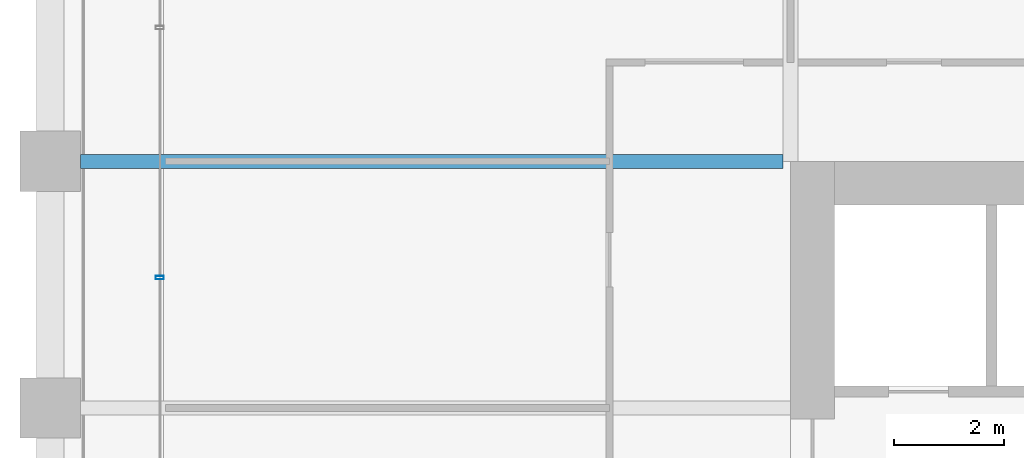
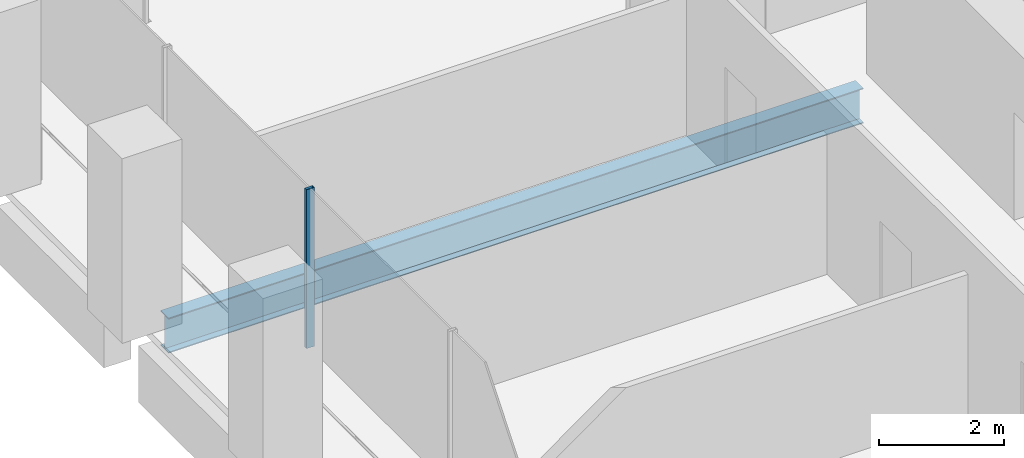
# One storey, part 14 of 56: 1 beam, 1 member, 1 element without a shape of its own.
"""IFC4 building model written with IfcOpenShell, lengths in metres."""

from ifc_helpers import new_model, si_unit, direction, frame, origin, origin_2d, place, context, subcontext, project, spatial, hollow_rectangle, i_section, extrude, material, material_profile, profile_set, type_object, element, aggregate, save


model = new_model("IFC4")

# Units and contexts
model_context = context("Model", 3, precision=1e-05, world=origin(), true_north=direction((0.0, 1.0)))
body_context = subcontext(model_context, "Body", "Model", "MODEL_VIEW")
ifc_project = project(units=[si_unit("LENGTHUNIT", "METRE"), si_unit("AREAUNIT", "SQUARE_METRE"), si_unit("VOLUMEUNIT", "CUBIC_METRE"), si_unit("PLANEANGLEUNIT", "RADIAN"), si_unit("MASSUNIT", "GRAM", prefix="KILO")], contexts=[model_context])

# Site, building, storey
site_placement = place(None, origin())
site = spatial("IfcSite", under=ifc_project, at=site_placement, CompositionType="ELEMENT")
building_placement = place(site_placement, origin())
building = spatial("IfcBuilding", under=site, at=building_placement, Name="Altepetl Exchange Towers", CompositionType="ELEMENT")
storey_placement = place(building_placement, frame((0.0, 0.0, 72.60009765625)))
storey = spatial("IfcBuildingStorey", under=building, at=storey_placement, Name="L17", CompositionType="ELEMENT", Elevation=72.60009765625)

# Beam
ifc_material_1 = material(Name="Steel S355", Category="steel")
ifc_material_profile_1 = material_profile(ifc_material_1, i_section(OverallWidth=0.25390625, OverallDepth=0.68408203125, WebThickness=0.012451171875, FlangeThickness=0.018798828125, at=origin_2d()), Name="W27X94")
ifc_profile_set_1 = profile_set([ifc_material_profile_1], Name="Steel S355")
beam_type = type_object("IfcBeamType", Name="Floor beam W27X94", PredefinedType="BEAM", material=ifc_profile_set_1)
beam_placement = place(storey_placement, frame((27.550048828125, 58.5, -0.4921875), z_axis=(1.0, 0.0, 0.0), x_axis=(0.0, 1.0, 0.0)))
element("IfcBeam", 1, at=beam_placement, inside=storey, type_object=beam_type, Name="bm:A:L17:021", PredefinedType="BEAM", context=body_context, shape_type="SweptSolid", body=[
    extrude(i_section(OverallWidth=0.25390625, OverallDepth=0.68408203125, WebThickness=0.012451171875, FlangeThickness=0.018798828125, at=origin_2d()), origin(), (0.0, 0.0, 1.0), 12.81591796875),
])

# Curtain wall, member
ifc_material_2 = material(Name="Aluminium 6063-T6 glazing", Category="aluminium")
curtain_wall_type = type_object("IfcCurtainWallType", Name="Loggia glazing system", PredefinedType="NOTDEFINED", material=ifc_material_2)
curtain_wall_placement = place(storey_placement, origin())
curtain_wall = element("IfcCurtainWall", 2, at=curtain_wall_placement, inside=storey, type_object=curtain_wall_type, Name="CW1 run", PredefinedType="NOTDEFINED")
ifc_material_3 = material(Name="Aluminium 6063-T6", Category="aluminium")
ifc_material_profile_2 = material_profile(ifc_material_3, hollow_rectangle(XDim=0.06005859375, YDim=0.14990234375, WallThickness=0.0029296875, at=origin_2d()), Name="Mullion 60x150 aluminium")
ifc_profile_set_2 = profile_set([ifc_material_profile_2], Name="Aluminium 6063-T6")
member_type = type_object("IfcMemberType", Name="Mullion 60x150 aluminium", PredefinedType="MULLION", material=ifc_profile_set_2)
member_placement = place(storey_placement, frame((29.0, 56.378662109375, 0.0), z_axis=(0.0, 0.0, 1.0), x_axis=(0.0, -1.0, 0.0)))
member = element("IfcMember", 3, at=member_placement, type_object=member_type, Name="MU1 mullion", PredefinedType="MULLION", context=body_context, shape_type="SweptSolid", body=[
    extrude(hollow_rectangle(XDim=0.06005859375, YDim=0.14990234375, WallThickness=0.0029296875, at=origin_2d()), origin(), (0.0, 0.0, 1.0), 3.099853515625),
])
aggregate(curtain_wall, [member])

save(model, "model.ifc")
